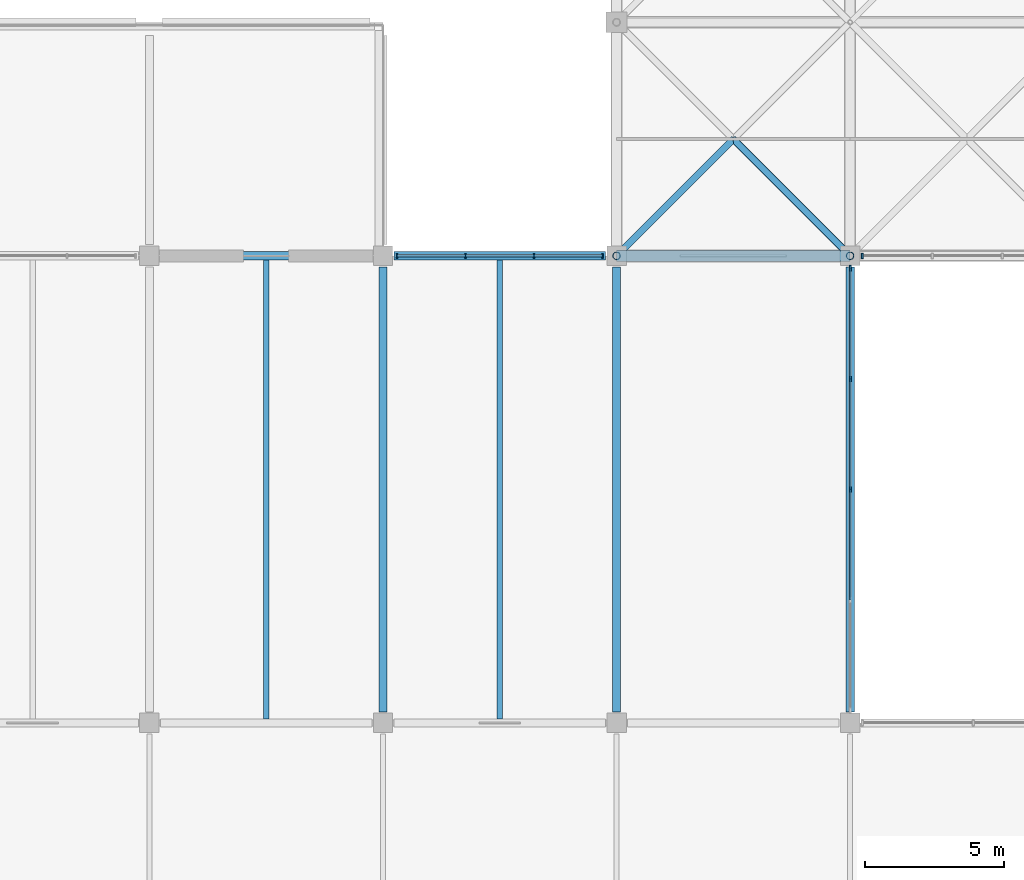
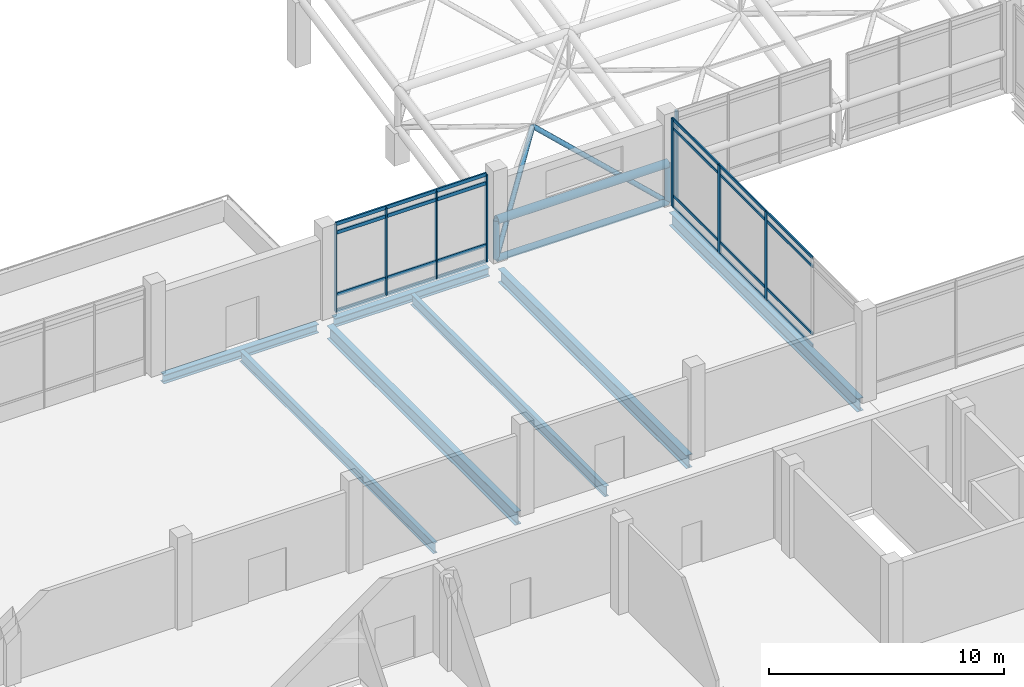
# One storey, part 21 of 110: 38 members, 7 beams, 3 elements without a shape of their own.
"""IFC4 building model written with IfcOpenShell, lengths in metres."""

import ifcopenshell
import ifcopenshell.guid

model = None  # the IFC model being written
_history = None  # IfcOwnerHistory: only IFC2X3 demands one
_inside = {}  # id of a spatial element -> (the spatial element, [elements in it])
_under = {}  # id of a project, library or spatial element -> (it, [spatial elements below it])
_declared = {}  # id of a project -> (the project, [libraries it declares])
_typed = {}  # id of a type object -> (the type object, [elements of that type])
_made_of = {}  # id of a material, layer set ... -> (it, [elements and type objects made of it])


def new_model(schema):
    """Start an empty IFC model of exactly this schema.

    Asked for "IFC4X3", IfcOpenShell would pick the latest addendum, in which some entities
    have other attributes; the version numbers below select the first issue.
    IFC2X3 requires an IfcOwnerHistory on every rooted entity: one is made here for all.
    """
    global model, _history
    if schema == "IFC4X3":
        model = ifcopenshell.file(schema_version=(4, 3, 0, 0))
    else:
        model = ifcopenshell.file(schema=schema)
    _inside.clear()
    _under.clear()
    _declared.clear()
    _typed.clear()
    _made_of.clear()
    _history = None
    if model.schema == "IFC2X3":
        org = make("IfcOrganization", Name="unknown")
        user = make(
            "IfcPersonAndOrganization",
            ThePerson=make("IfcPerson", FamilyName="unknown"),
            TheOrganization=org,
        )
        app = make(
            "IfcApplication",
            ApplicationDeveloper=org,
            Version="unknown",
            ApplicationFullName="unknown",
            ApplicationIdentifier="unknown",
        )
        _history = make(
            "IfcOwnerHistory",
            OwningUser=user,
            OwningApplication=app,
            ChangeAction="ADDED",
            CreationDate=0,
        )
    return model


def make(cls, **values):
    """One entity of the class cls with the attributes given. An attribute that is None is left unset."""
    return model.create_entity(
        cls, **{name: value for name, value in values.items() if value is not None}
    )


def rooted(cls, **values):
    """An entity with a GlobalId (a new one), such as an element, a storey or a relation."""
    return make(cls, GlobalId=ifcopenshell.guid.new(), OwnerHistory=_history, **values)


def si_unit(unit_type, name, prefix=None):
    """IfcSIUnit, for example si_unit("LENGTHUNIT", "METRE", prefix="MILLI")."""
    return make("IfcSIUnit", UnitType=unit_type, Prefix=prefix, Name=name)


def assignment(units):
    """IfcUnitAssignment: the units of a project."""
    return None if units is None else make("IfcUnitAssignment", Units=units)


def point(xyz):
    """IfcCartesianPoint."""
    return None if xyz is None else make("IfcCartesianPoint", Coordinates=xyz)


def direction(xyz):
    """IfcDirection."""
    return None if xyz is None else make("IfcDirection", DirectionRatios=xyz)


def frame(location, z_axis=None, x_axis=None):
    """IfcAxis2Placement3D, a coordinate frame: its origin and axes. An axis left out is left unset."""
    return make(
        "IfcAxis2Placement3D",
        Location=point(location),
        Axis=direction(z_axis),
        RefDirection=direction(x_axis),
    )


def frame_2d(location, x_axis=None):
    """IfcAxis2Placement2D, a coordinate frame in the plane: its origin and x axis."""
    return make(
        "IfcAxis2Placement2D", Location=point(location), RefDirection=direction(x_axis)
    )


def origin():
    """The frame at (0, 0, 0) with its axes left unset."""
    return frame((0.0, 0.0, 0.0))


def origin_2d():
    """The frame at (0, 0) in the plane with its x axis left unset."""
    return frame_2d((0.0, 0.0))


def place(relative_to, where):
    """IfcLocalPlacement: puts the frame where relative to a parent placement (None: the world)."""
    return make(
        "IfcLocalPlacement", PlacementRelTo=relative_to, RelativePlacement=where
    )


def context(
    kind, dimensions, precision=None, world=None, true_north=None, identifier=None
):
    """IfcGeometricRepresentationContext, for example the 3D "Model" context."""
    return make(
        "IfcGeometricRepresentationContext",
        ContextIdentifier=identifier,
        ContextType=kind,
        CoordinateSpaceDimension=dimensions,
        Precision=precision,
        WorldCoordinateSystem=world,
        TrueNorth=true_north,
    )


def subcontext(parent, identifier, kind, view, scale=None):
    """IfcGeometricRepresentationSubContext, for example "Body" below "Model"."""
    return make(
        "IfcGeometricRepresentationSubContext",
        ContextIdentifier=identifier,
        ContextType=kind,
        ParentContext=parent,
        TargetScale=scale,
        TargetView=view,
    )


def project(units=None, contexts=None):
    """IfcProject with its units and contexts."""
    return rooted(
        "IfcProject",
        Name="project",
        RepresentationContexts=contexts,
        UnitsInContext=assignment(units),
    )


def spatial(cls, under=None, at=None, **own):
    """A site, building, storey or space (cls), placed at a placement, below another one or the project."""
    s = rooted(cls, ObjectPlacement=at, **own)
    if under is not None:
        _under.setdefault(under.id(), (under, []))[1].append(s)
    return s


def profile(cls, at=None, kind="AREA", **sizes):
    """A parametric profile (cls). Its sizes go by their IFC names, for example OverallWidth=200.0."""
    return make(cls, ProfileType=kind, Position=at, **sizes)


def rectangle(**sizes):
    """IfcRectangleProfileDef."""
    return profile("IfcRectangleProfileDef", **sizes)


def hollow_circle(**sizes):
    """IfcCircleHollowProfileDef."""
    return profile("IfcCircleHollowProfileDef", **sizes)


def i_section(**sizes):
    """IfcIShapeProfileDef."""
    return profile("IfcIShapeProfileDef", **sizes)


def extrude(swept, where, along, depth):
    """IfcExtrudedAreaSolid: the profile swept, set in the frame where, extruded along a direction by depth."""
    return make(
        "IfcExtrudedAreaSolid",
        SweptArea=swept,
        Position=where,
        ExtrudedDirection=direction(along),
        Depth=depth,
    )


def shape(context_of_items, identifier, shape_type, items):
    """IfcShapeRepresentation: the items that make up one representation, for example the "Body"."""
    return make(
        "IfcShapeRepresentation",
        ContextOfItems=context_of_items,
        RepresentationIdentifier=identifier,
        RepresentationType=shape_type,
        Items=items,
    )


def material(Name=None, Category=None):
    """IfcMaterial."""
    return make("IfcMaterial", Name=Name, Category=Category)


def layer(
    of_material, thickness, ventilated=None, Name=None, Category=None, Priority=None
):
    """IfcMaterialLayer: one layer of a wall or slab, of a material (None: an air gap)."""
    return make(
        "IfcMaterialLayer",
        Material=of_material,
        LayerThickness=thickness,
        IsVentilated=ventilated,
        Name=Name,
        Category=Category,
        Priority=Priority,
    )


def layer_set(layers, Name=None):
    """IfcMaterialLayerSet."""
    return make("IfcMaterialLayerSet", MaterialLayers=layers, LayerSetName=Name)


def material_profile(
    of_material, cross_section, Name=None, Category=None, Priority=None
):
    """IfcMaterialProfile: a cross section and its material."""
    return make(
        "IfcMaterialProfile",
        Name=Name,
        Material=of_material,
        Profile=cross_section,
        Priority=Priority,
        Category=Category,
    )


def profile_set(profiles, Name=None, composite=None):
    """IfcMaterialProfileSet."""
    return make(
        "IfcMaterialProfileSet",
        Name=Name,
        MaterialProfiles=profiles,
        CompositeProfile=composite,
    )


def made_of(thing, what):
    """Note that an element or type object is made of a material, layer set ...; save() writes the relation."""
    if what is not None:
        _made_of.setdefault(what.id(), (what, []))[1].append(thing)
    return thing


def type_object(cls, material=None, **own):
    """A type object (cls), such as IfcWallType, which elements share."""
    return made_of(rooted(cls, **own), material)


def element(
    cls,
    number,
    at=None,
    inside=None,
    cuts=None,
    type_object=None,
    material=None,
    context=None,
    identifier="Body",
    shape_type=None,
    held_by="IfcProductDefinitionShape",
    body=None,
    shapes=None,
    **own,
):
    """One element of the class cls, such as IfcWall. Its Tag is "e" and its number.

    at: its placement. inside: the storey or other place that contains it. cuts: it is an
    opening in that element (IfcRelVoidsElement). A single representation is given by context,
    identifier, shape_type and body (its items); several are given by shapes. held_by: the class
    of the entity that holds the representations. save() writes the other relations.
    """
    e = rooted(cls, Tag="e%d" % number, ObjectPlacement=at, **own)
    if body is not None:
        shapes = [shape(context, identifier, shape_type, body)]
    if shapes is not None:
        e.Representation = make(held_by, Representations=shapes)
    if inside is not None:
        _inside.setdefault(inside.id(), (inside, []))[1].append(e)
    if cuts is not None:
        rooted(
            "IfcRelVoidsElement", RelatingBuildingElement=cuts, RelatedOpeningElement=e
        )
    if type_object is not None:
        _typed.setdefault(type_object.id(), (type_object, []))[1].append(e)
    return made_of(e, material)


def aggregate(whole, parts):
    """IfcRelAggregates: a whole, such as a stair, and the parts it consists of."""
    return rooted("IfcRelAggregates", RelatingObject=whole, RelatedObjects=parts)


def save(model, path):
    """Write the relations noted so far, then the file.

    IfcRelAggregates (storeys below a building ...), IfcRelContainedInSpatialStructure (elements
    in a storey), IfcRelDefinesByType, IfcRelAssociatesMaterial and IfcRelDeclares: one each for
    every whole, place, type object, material and project.
    """
    for whole, parts in _under.values():
        aggregate(whole, parts)
    for where, things in _inside.values():
        rooted(
            "IfcRelContainedInSpatialStructure",
            RelatedElements=things,
            RelatingStructure=where,
        )
    for kind, things in _typed.values():
        rooted("IfcRelDefinesByType", RelatedObjects=things, RelatingType=kind)
    for what, things in _made_of.values():
        rooted("IfcRelAssociatesMaterial", RelatedObjects=things, RelatingMaterial=what)
    for by, libraries in _declared.values():
        rooted("IfcRelDeclares", RelatingContext=by, RelatedDefinitions=libraries)
    model.write(path)


model = new_model("IFC4")

# Units and contexts
model_context = context("Model", 3, precision=1e-05, world=origin(), true_north=direction((0.0, 1.0)))
body_context = subcontext(model_context, "Body", "Model", "MODEL_VIEW")
ifc_project = project(units=[si_unit("LENGTHUNIT", "METRE"), si_unit("AREAUNIT", "SQUARE_METRE"), si_unit("VOLUMEUNIT", "CUBIC_METRE"), si_unit("PLANEANGLEUNIT", "RADIAN"), si_unit("MASSUNIT", "GRAM", prefix="KILO")], contexts=[model_context])

# Site, building, storey
site_placement = place(None, origin())
site = spatial("IfcSite", under=ifc_project, at=site_placement, CompositionType="ELEMENT")
building_placement = place(site_placement, origin())
building = spatial("IfcBuilding", under=site, at=building_placement, Name="Qawsi Khor Wholesale Market", CompositionType="ELEMENT")
storey_placement = place(building_placement, frame((0.0, 0.0, 11.39990234375)))
storey = spatial("IfcBuildingStorey", under=building, at=storey_placement, Name="L02", CompositionType="ELEMENT", Elevation=11.39990234375)

# Curtain wall, member
ifc_material_1 = material(Name="Aluminium Anodised Bronze", Category="aluminium")
ifc_layer_1 = layer(ifc_material_1, 0.179931640625, Name="Aluminium Anodised Bronze")
ifc_layer_set_1 = layer_set([ifc_layer_1], Name="Aluminium Anodised Bronze")
curtain_wall_type_1 = type_object("IfcCurtainWallType", Name="Atrium Full-Height Curtain Wall CW-02", PredefinedType="NOTDEFINED", material=ifc_layer_set_1)
curtain_wall_1_placement = place(storey_placement, origin())
curtain_wall_1 = element("IfcCurtainWall", 1, at=curtain_wall_1_placement, inside=storey, type_object=curtain_wall_type_1, Name="Curtain wall CW-CW-02-L02-042", PredefinedType="NOTDEFINED")
ifc_material_profile_1 = material_profile(ifc_material_1, rectangle(XDim=0.070068359375, YDim=0.199951171875, at=origin_2d()), Name="ALU MULLION 70x200")
ifc_profile_set_1 = profile_set([ifc_material_profile_1], Name="Aluminium Anodised Bronze")
member_type_1 = type_object("IfcMemberType", Name="Curtain Wall Mullion CW-02 ALU MULLION 70x200", PredefinedType="MULLION", material=ifc_profile_set_1)
member_1_placement = place(storey_placement, frame((151.64501953125, 42.0, -0.02001953125), z_axis=(0.0, 0.0, 1.0), x_axis=(1.0, 0.0, 0.0)))
member_1 = element("IfcMember", 2, at=member_1_placement, type_object=member_type_1, Name="Mullion CW-CW-02-L02-042-M00", PredefinedType="MULLION", context=body_context, shape_type="SweptSolid", body=[
    extrude(rectangle(XDim=0.070068359375, YDim=0.199951171875, at=origin_2d()), origin(), (0.0, 0.0, 1.0), 4.570068359375),
])
aggregate(curtain_wall_1, [member_1])

# Curtain wall, members
curtain_wall_2_placement = place(storey_placement, origin())
curtain_wall_2 = element("IfcCurtainWall", 3, at=curtain_wall_2_placement, inside=storey, type_object=curtain_wall_type_1, Name="Curtain wall CW-CW-02-L02-044", PredefinedType="NOTDEFINED")
member_2_placement = place(storey_placement, frame((151.199951171875, 33.60009765625, -0.02001953125), z_axis=(0.0, 0.0, 1.0), x_axis=(1.0, 0.0, 0.0)))
member_2 = element("IfcMember", 4, at=member_2_placement, type_object=member_type_1, Name="Mullion CW-CW-02-L02-044-M02", PredefinedType="MULLION", context=body_context, shape_type="SweptSolid", body=[
    extrude(rectangle(XDim=0.070068359375, YDim=0.199951171875, at=origin_2d()), origin(), (0.0, 0.0, 1.0), 4.570068359375),
])
member_3_placement = place(storey_placement, frame((151.199951171875, 37.577392578125, -0.02001953125), z_axis=(0.0, 0.0, 1.0), x_axis=(1.0, 0.0, 0.0)))
member_3 = element("IfcMember", 5, at=member_3_placement, type_object=member_type_1, Name="Mullion CW-CW-02-L02-044-M03", PredefinedType="MULLION", context=body_context, shape_type="SweptSolid", body=[
    extrude(rectangle(XDim=0.070068359375, YDim=0.199951171875, at=origin_2d()), origin(), (0.0, 0.0, 1.0), 4.570068359375),
])
member_4_placement = place(storey_placement, frame((151.199951171875, 41.554931640625, -0.02001953125), z_axis=(0.0, 0.0, 1.0), x_axis=(1.0, 0.0, 0.0)))
member_4 = element("IfcMember", 6, at=member_4_placement, type_object=member_type_1, Name="Mullion CW-CW-02-L02-044-M04", PredefinedType="MULLION", context=body_context, shape_type="SweptSolid", body=[
    extrude(rectangle(XDim=0.070068359375, YDim=0.199951171875, at=origin_2d()), origin(), (0.0, 0.0, 1.0), 4.570068359375),
])

ifc_layer_2 = layer(ifc_material_1, 0.169921875, Name="Aluminium Anodised Bronze")
ifc_layer_set_2 = layer_set([ifc_layer_2], Name="Aluminium Anodised Bronze")
curtain_wall_type_2 = type_object("IfcCurtainWallType", Name="Central Court Gallery Curtain Wall CW-05", PredefinedType="NOTDEFINED", material=ifc_layer_set_2)
curtain_wall_3_placement = place(storey_placement, origin())
curtain_wall_3 = element("IfcCurtainWall", 7, at=curtain_wall_3_placement, inside=storey, type_object=curtain_wall_type_2, Name="Curtain wall CW-CW-05-L02-069", PredefinedType="NOTDEFINED")
ifc_material_profile_2 = material_profile(ifc_material_1, rectangle(XDim=0.06005859375, YDim=0.159912109375, at=origin_2d()), Name="ALU MULLION 60x160")
ifc_profile_set_2 = profile_set([ifc_material_profile_2], Name="Aluminium Anodised Bronze")
member_type_2 = type_object("IfcMemberType", Name="Curtain Wall Mullion CW-05 ALU MULLION 60x160", PredefinedType="MULLION", material=ifc_profile_set_2)
member_5_placement = place(storey_placement, frame((134.89990234375, 42.0, -0.02001953125), z_axis=(0.0, 0.0, 1.0), x_axis=(1.0, 0.0, 0.0)))
member_5 = element("IfcMember", 8, at=member_5_placement, type_object=member_type_2, Name="Mullion CW-CW-05-L02-069-M00", PredefinedType="MULLION", context=body_context, shape_type="SweptSolid", body=[
    extrude(rectangle(XDim=0.06005859375, YDim=0.159912109375, at=origin_2d()), origin(), (0.0, 0.0, 1.0), 4.5400390625),
])
member_6_placement = place(storey_placement, frame((137.36669921875, 42.0, -0.02001953125), z_axis=(0.0, 0.0, 1.0), x_axis=(1.0, 0.0, 0.0)))
member_6 = element("IfcMember", 9, at=member_6_placement, type_object=member_type_2, Name="Mullion CW-CW-05-L02-069-M01", PredefinedType="MULLION", context=body_context, shape_type="SweptSolid", body=[
    extrude(rectangle(XDim=0.06005859375, YDim=0.159912109375, at=origin_2d()), origin(), (0.0, 0.0, 1.0), 4.5400390625),
])
member_7_placement = place(storey_placement, frame((139.833251953125, 42.0, -0.02001953125), z_axis=(0.0, 0.0, 1.0), x_axis=(1.0, 0.0, 0.0)))
member_7 = element("IfcMember", 10, at=member_7_placement, type_object=member_type_2, Name="Mullion CW-CW-05-L02-069-M02", PredefinedType="MULLION", context=body_context, shape_type="SweptSolid", body=[
    extrude(rectangle(XDim=0.06005859375, YDim=0.159912109375, at=origin_2d()), origin(), (0.0, 0.0, 1.0), 4.5400390625),
])
member_8_placement = place(storey_placement, frame((142.300048828125, 42.0, -0.02001953125), z_axis=(0.0, 0.0, 1.0), x_axis=(1.0, 0.0, 0.0)))
member_8 = element("IfcMember", 11, at=member_8_placement, type_object=member_type_2, Name="Mullion CW-CW-05-L02-069-M03", PredefinedType="MULLION", context=body_context, shape_type="SweptSolid", body=[
    extrude(rectangle(XDim=0.06005859375, YDim=0.159912109375, at=origin_2d()), origin(), (0.0, 0.0, 1.0), 4.5400390625),
])

# Member
ifc_material_profile_3 = material_profile(ifc_material_1, rectangle(XDim=0.06494140625, YDim=0.139892578125, at=origin_2d()), Name="ALU TRANSOM 65x140")
ifc_profile_set_3 = profile_set([ifc_material_profile_3], Name="Aluminium Anodised Bronze")
member_type_3 = type_object("IfcMemberType", Name="Curtain Wall Transom CW-02 ALU TRANSOM 65x140", PredefinedType="USERDEFINED", material=ifc_profile_set_3)
member_9_placement = place(storey_placement, frame((151.199951171875, 29.62255859375, 0.0), z_axis=(0.0, 1.0, 0.0), x_axis=(-1.0, 0.0, 0.0)))
member_9 = element("IfcMember", 12, at=member_9_placement, type_object=member_type_3, Name="Transom CW-CW-02-L02-044-T0_01", ObjectType="TRANSOM", PredefinedType="USERDEFINED", context=body_context, shape_type="SweptSolid", body=[
    extrude(rectangle(XDim=0.06494140625, YDim=0.139892578125, at=origin_2d()), origin(), (0.0, 0.0, 1.0), 3.9775390625),
])

member_10_placement = place(storey_placement, frame((151.199951171875, 33.60009765625, 0.0), z_axis=(0.0, 1.0, 0.0), x_axis=(-1.0, 0.0, 0.0)))
member_10 = element("IfcMember", 13, at=member_10_placement, type_object=member_type_3, Name="Transom CW-CW-02-L02-044-T0_02", ObjectType="TRANSOM", PredefinedType="USERDEFINED", context=body_context, shape_type="SweptSolid", body=[
    extrude(rectangle(XDim=0.06494140625, YDim=0.139892578125, at=origin_2d()), origin(), (0.0, 0.0, 1.0), 3.977294921875),
])

member_11_placement = place(storey_placement, frame((151.199951171875, 37.577392578125, 0.0), z_axis=(0.0, 1.0, 0.0), x_axis=(-1.0, 0.0, 0.0)))
member_11 = element("IfcMember", 14, at=member_11_placement, type_object=member_type_3, Name="Transom CW-CW-02-L02-044-T0_03", ObjectType="TRANSOM", PredefinedType="USERDEFINED", context=body_context, shape_type="SweptSolid", body=[
    extrude(rectangle(XDim=0.06494140625, YDim=0.139892578125, at=origin_2d()), origin(), (0.0, 0.0, 1.0), 3.9775390625),
])

member_12_placement = place(storey_placement, frame((151.199951171875, 29.62255859375, 0.60009765625), z_axis=(0.0, 1.0, 0.0), x_axis=(-1.0, 0.0, 0.0)))
member_12 = element("IfcMember", 15, at=member_12_placement, type_object=member_type_3, Name="Transom CW-CW-02-L02-044-T1_01", ObjectType="TRANSOM", PredefinedType="USERDEFINED", context=body_context, shape_type="SweptSolid", body=[
    extrude(rectangle(XDim=0.06494140625, YDim=0.139892578125, at=origin_2d()), origin(), (0.0, 0.0, 1.0), 3.9775390625),
])

member_13_placement = place(storey_placement, frame((151.199951171875, 33.60009765625, 0.60009765625), z_axis=(0.0, 1.0, 0.0), x_axis=(-1.0, 0.0, 0.0)))
member_13 = element("IfcMember", 16, at=member_13_placement, type_object=member_type_3, Name="Transom CW-CW-02-L02-044-T1_02", ObjectType="TRANSOM", PredefinedType="USERDEFINED", context=body_context, shape_type="SweptSolid", body=[
    extrude(rectangle(XDim=0.06494140625, YDim=0.139892578125, at=origin_2d()), origin(), (0.0, 0.0, 1.0), 3.977294921875),
])

member_14_placement = place(storey_placement, frame((151.199951171875, 37.577392578125, 0.60009765625), z_axis=(0.0, 1.0, 0.0), x_axis=(-1.0, 0.0, 0.0)))
member_14 = element("IfcMember", 17, at=member_14_placement, type_object=member_type_3, Name="Transom CW-CW-02-L02-044-T1_03", ObjectType="TRANSOM", PredefinedType="USERDEFINED", context=body_context, shape_type="SweptSolid", body=[
    extrude(rectangle(XDim=0.06494140625, YDim=0.139892578125, at=origin_2d()), origin(), (0.0, 0.0, 1.0), 3.9775390625),
])

member_15_placement = place(storey_placement, frame((151.199951171875, 29.62255859375, 4.10009765625), z_axis=(0.0, 1.0, 0.0), x_axis=(-1.0, 0.0, 0.0)))
member_15 = element("IfcMember", 18, at=member_15_placement, type_object=member_type_3, Name="Transom CW-CW-02-L02-044-T2_01", ObjectType="TRANSOM", PredefinedType="USERDEFINED", context=body_context, shape_type="SweptSolid", body=[
    extrude(rectangle(XDim=0.06494140625, YDim=0.139892578125, at=origin_2d()), origin(), (0.0, 0.0, 1.0), 3.9775390625),
])

member_16_placement = place(storey_placement, frame((151.199951171875, 33.60009765625, 4.10009765625), z_axis=(0.0, 1.0, 0.0), x_axis=(-1.0, 0.0, 0.0)))
member_16 = element("IfcMember", 19, at=member_16_placement, type_object=member_type_3, Name="Transom CW-CW-02-L02-044-T2_02", ObjectType="TRANSOM", PredefinedType="USERDEFINED", context=body_context, shape_type="SweptSolid", body=[
    extrude(rectangle(XDim=0.06494140625, YDim=0.139892578125, at=origin_2d()), origin(), (0.0, 0.0, 1.0), 3.977294921875),
])

member_17_placement = place(storey_placement, frame((151.199951171875, 37.577392578125, 4.10009765625), z_axis=(0.0, 1.0, 0.0), x_axis=(-1.0, 0.0, 0.0)))
member_17 = element("IfcMember", 20, at=member_17_placement, type_object=member_type_3, Name="Transom CW-CW-02-L02-044-T2_03", ObjectType="TRANSOM", PredefinedType="USERDEFINED", context=body_context, shape_type="SweptSolid", body=[
    extrude(rectangle(XDim=0.06494140625, YDim=0.139892578125, at=origin_2d()), origin(), (0.0, 0.0, 1.0), 3.9775390625),
])

member_18_placement = place(storey_placement, frame((151.199951171875, 29.62255859375, 4.550048828125), z_axis=(0.0, 1.0, 0.0), x_axis=(-1.0, 0.0, 0.0)))
member_18 = element("IfcMember", 21, at=member_18_placement, type_object=member_type_3, Name="Transom CW-CW-02-L02-044-T3_01", ObjectType="TRANSOM", PredefinedType="USERDEFINED", context=body_context, shape_type="SweptSolid", body=[
    extrude(rectangle(XDim=0.06494140625, YDim=0.139892578125, at=origin_2d()), origin(), (0.0, 0.0, 1.0), 3.9775390625),
])

member_19_placement = place(storey_placement, frame((151.199951171875, 33.60009765625, 4.550048828125), z_axis=(0.0, 1.0, 0.0), x_axis=(-1.0, 0.0, 0.0)))
member_19 = element("IfcMember", 22, at=member_19_placement, type_object=member_type_3, Name="Transom CW-CW-02-L02-044-T3_02", ObjectType="TRANSOM", PredefinedType="USERDEFINED", context=body_context, shape_type="SweptSolid", body=[
    extrude(rectangle(XDim=0.06494140625, YDim=0.139892578125, at=origin_2d()), origin(), (0.0, 0.0, 1.0), 3.977294921875),
])

member_20_placement = place(storey_placement, frame((151.199951171875, 37.577392578125, 4.550048828125), z_axis=(0.0, 1.0, 0.0), x_axis=(-1.0, 0.0, 0.0)))
member_20 = element("IfcMember", 23, at=member_20_placement, type_object=member_type_3, Name="Transom CW-CW-02-L02-044-T3_03", ObjectType="TRANSOM", PredefinedType="USERDEFINED", context=body_context, shape_type="SweptSolid", body=[
    extrude(rectangle(XDim=0.06494140625, YDim=0.139892578125, at=origin_2d()), origin(), (0.0, 0.0, 1.0), 3.9775390625),
])

aggregate(curtain_wall_2, [member_2, member_3, member_4, member_9, member_10, member_11, member_12, member_13, member_14, member_15, member_16, member_17, member_18, member_19, member_20])

ifc_material_profile_4 = material_profile(ifc_material_1, rectangle(XDim=0.080078125, YDim=0.179931640625, at=origin_2d()), Name="ALU TRANSOM 80x180")
ifc_profile_set_4 = profile_set([ifc_material_profile_4], Name="Aluminium Anodised Bronze")
member_type_4 = type_object("IfcMemberType", Name="Curtain Wall Transom CW-05 ALU TRANSOM 80x180", PredefinedType="USERDEFINED", material=ifc_profile_set_4)
member_21_placement = place(storey_placement, frame((134.89990234375, 42.0, 0.0), z_axis=(1.0, 0.0, 0.0), x_axis=(0.0, 1.0, 0.0)))
member_21 = element("IfcMember", 24, at=member_21_placement, type_object=member_type_4, Name="Transom CW-CW-05-L02-069-T0_00", ObjectType="TRANSOM", PredefinedType="USERDEFINED", context=body_context, shape_type="SweptSolid", body=[
    extrude(rectangle(XDim=0.080078125, YDim=0.179931640625, at=origin_2d()), origin(), (0.0, 0.0, 1.0), 2.466796875),
])

member_22_placement = place(storey_placement, frame((137.36669921875, 42.0, 0.0), z_axis=(1.0, 0.0, 0.0), x_axis=(0.0, 1.0, 0.0)))
member_22 = element("IfcMember", 25, at=member_22_placement, type_object=member_type_4, Name="Transom CW-CW-05-L02-069-T0_01", ObjectType="TRANSOM", PredefinedType="USERDEFINED", context=body_context, shape_type="SweptSolid", body=[
    extrude(rectangle(XDim=0.080078125, YDim=0.179931640625, at=origin_2d()), origin(), (0.0, 0.0, 1.0), 2.466552734375),
])

member_23_placement = place(storey_placement, frame((139.833251953125, 42.0, 0.0), z_axis=(1.0, 0.0, 0.0), x_axis=(0.0, 1.0, 0.0)))
member_23 = element("IfcMember", 26, at=member_23_placement, type_object=member_type_4, Name="Transom CW-CW-05-L02-069-T0_02", ObjectType="TRANSOM", PredefinedType="USERDEFINED", context=body_context, shape_type="SweptSolid", body=[
    extrude(rectangle(XDim=0.080078125, YDim=0.179931640625, at=origin_2d()), origin(), (0.0, 0.0, 1.0), 2.466796875),
])

member_24_placement = place(storey_placement, frame((134.89990234375, 42.0, 0.85009765625), z_axis=(1.0, 0.0, 0.0), x_axis=(0.0, 1.0, 0.0)))
member_24 = element("IfcMember", 27, at=member_24_placement, type_object=member_type_4, Name="Transom CW-CW-05-L02-069-T1_00", ObjectType="TRANSOM", PredefinedType="USERDEFINED", context=body_context, shape_type="SweptSolid", body=[
    extrude(rectangle(XDim=0.080078125, YDim=0.179931640625, at=origin_2d()), origin(), (0.0, 0.0, 1.0), 2.466796875),
])

member_25_placement = place(storey_placement, frame((137.36669921875, 42.0, 0.85009765625), z_axis=(1.0, 0.0, 0.0), x_axis=(0.0, 1.0, 0.0)))
member_25 = element("IfcMember", 28, at=member_25_placement, type_object=member_type_4, Name="Transom CW-CW-05-L02-069-T1_01", ObjectType="TRANSOM", PredefinedType="USERDEFINED", context=body_context, shape_type="SweptSolid", body=[
    extrude(rectangle(XDim=0.080078125, YDim=0.179931640625, at=origin_2d()), origin(), (0.0, 0.0, 1.0), 2.466552734375),
])

member_26_placement = place(storey_placement, frame((139.833251953125, 42.0, 0.85009765625), z_axis=(1.0, 0.0, 0.0), x_axis=(0.0, 1.0, 0.0)))
member_26 = element("IfcMember", 29, at=member_26_placement, type_object=member_type_4, Name="Transom CW-CW-05-L02-069-T1_02", ObjectType="TRANSOM", PredefinedType="USERDEFINED", context=body_context, shape_type="SweptSolid", body=[
    extrude(rectangle(XDim=0.080078125, YDim=0.179931640625, at=origin_2d()), origin(), (0.0, 0.0, 1.0), 2.466796875),
])

member_27_placement = place(storey_placement, frame((134.89990234375, 42.0, 4.070068359375), z_axis=(1.0, 0.0, 0.0), x_axis=(0.0, 1.0, 0.0)))
member_27 = element("IfcMember", 30, at=member_27_placement, type_object=member_type_4, Name="Transom CW-CW-05-L02-069-T2_00", ObjectType="TRANSOM", PredefinedType="USERDEFINED", context=body_context, shape_type="SweptSolid", body=[
    extrude(rectangle(XDim=0.080078125, YDim=0.179931640625, at=origin_2d()), origin(), (0.0, 0.0, 1.0), 2.466796875),
])

member_28_placement = place(storey_placement, frame((137.36669921875, 42.0, 4.070068359375), z_axis=(1.0, 0.0, 0.0), x_axis=(0.0, 1.0, 0.0)))
member_28 = element("IfcMember", 31, at=member_28_placement, type_object=member_type_4, Name="Transom CW-CW-05-L02-069-T2_01", ObjectType="TRANSOM", PredefinedType="USERDEFINED", context=body_context, shape_type="SweptSolid", body=[
    extrude(rectangle(XDim=0.080078125, YDim=0.179931640625, at=origin_2d()), origin(), (0.0, 0.0, 1.0), 2.466552734375),
])

member_29_placement = place(storey_placement, frame((139.833251953125, 42.0, 4.070068359375), z_axis=(1.0, 0.0, 0.0), x_axis=(0.0, 1.0, 0.0)))
member_29 = element("IfcMember", 32, at=member_29_placement, type_object=member_type_4, Name="Transom CW-CW-05-L02-069-T2_02", ObjectType="TRANSOM", PredefinedType="USERDEFINED", context=body_context, shape_type="SweptSolid", body=[
    extrude(rectangle(XDim=0.080078125, YDim=0.179931640625, at=origin_2d()), origin(), (0.0, 0.0, 1.0), 2.466796875),
])

member_30_placement = place(storey_placement, frame((134.89990234375, 42.0, 4.52001953125), z_axis=(1.0, 0.0, 0.0), x_axis=(0.0, 1.0, 0.0)))
member_30 = element("IfcMember", 33, at=member_30_placement, type_object=member_type_4, Name="Transom CW-CW-05-L02-069-T3_00", ObjectType="TRANSOM", PredefinedType="USERDEFINED", context=body_context, shape_type="SweptSolid", body=[
    extrude(rectangle(XDim=0.080078125, YDim=0.179931640625, at=origin_2d()), origin(), (0.0, 0.0, 1.0), 2.466796875),
])

member_31_placement = place(storey_placement, frame((137.36669921875, 42.0, 4.52001953125), z_axis=(1.0, 0.0, 0.0), x_axis=(0.0, 1.0, 0.0)))
member_31 = element("IfcMember", 34, at=member_31_placement, type_object=member_type_4, Name="Transom CW-CW-05-L02-069-T3_01", ObjectType="TRANSOM", PredefinedType="USERDEFINED", context=body_context, shape_type="SweptSolid", body=[
    extrude(rectangle(XDim=0.080078125, YDim=0.179931640625, at=origin_2d()), origin(), (0.0, 0.0, 1.0), 2.466552734375),
])

member_32_placement = place(storey_placement, frame((139.833251953125, 42.0, 4.52001953125), z_axis=(1.0, 0.0, 0.0), x_axis=(0.0, 1.0, 0.0)))
member_32 = element("IfcMember", 35, at=member_32_placement, type_object=member_type_4, Name="Transom CW-CW-05-L02-069-T3_02", ObjectType="TRANSOM", PredefinedType="USERDEFINED", context=body_context, shape_type="SweptSolid", body=[
    extrude(rectangle(XDim=0.080078125, YDim=0.179931640625, at=origin_2d()), origin(), (0.0, 0.0, 1.0), 2.466796875),
])

aggregate(curtain_wall_3, [member_5, member_6, member_7, member_8, member_21, member_22, member_23, member_24, member_25, member_26, member_27, member_28, member_29, member_30, member_31, member_32])

# Beams
ifc_material_2 = material(Name="Steel S355", Category="steel")
ifc_material_profile_5 = material_profile(ifc_material_2, i_section(OverallWidth=0.300048828125, OverallDepth=0.449951171875, WebThickness=0.013916015625, FlangeThickness=0.02587890625, FilletRadius=0.027099609375, at=origin_2d()), Name="HEB 450")
ifc_profile_set_5 = profile_set([ifc_material_profile_5], Name="Steel S355")
beam_type_1 = type_object("IfcBeamType", Name="Heavy Edge Girder HEB 450", PredefinedType="BEAM", material=ifc_profile_set_5)
beam_1_placement = place(storey_placement, frame((126.39990234375, 42.0, -0.5048828125), z_axis=(1.0, 0.0, 0.0), x_axis=(0.0, 1.0, 0.0)))
element("IfcBeam", 36, at=beam_1_placement, inside=storey, type_object=beam_type_1, Name="BM-X-L02-15_+05", PredefinedType="BEAM", context=body_context, shape_type="SweptSolid", body=[
    extrude(i_section(OverallWidth=0.300048828125, OverallDepth=0.449951171875, WebThickness=0.013916015625, FlangeThickness=0.02587890625, FilletRadius=0.027099609375, at=origin_2d()), origin(), (0.0, 0.0, 1.0), 7.60009765625),
])
beam_2_placement = place(storey_placement, frame((134.800048828125, 42.0, -0.5048828125), z_axis=(1.0, 0.0, 0.0), x_axis=(0.0, 1.0, 0.0)))
element("IfcBeam", 37, at=beam_2_placement, inside=storey, type_object=beam_type_1, Name="BM-X-L02-16_+05", PredefinedType="BEAM", context=body_context, shape_type="SweptSolid", body=[
    extrude(i_section(OverallWidth=0.300048828125, OverallDepth=0.449951171875, WebThickness=0.013916015625, FlangeThickness=0.02587890625, FilletRadius=0.027099609375, at=origin_2d()), origin(), (0.0, 0.0, 1.0), 7.599853515625),
])
ifc_material_profile_6 = material_profile(ifc_material_2, i_section(OverallWidth=0.300048828125, OverallDepth=0.68994140625, WebThickness=0.014404296875, FlangeThickness=0.027099609375, FilletRadius=0.027099609375, at=origin_2d()), Name="HEA 700")
ifc_profile_set_6 = profile_set([ifc_material_profile_6], Name="Steel S355")
beam_type_2 = type_object("IfcBeamType", Name="Primary Girder HEA 700", PredefinedType="BEAM", material=ifc_profile_set_6)
for number, where, z_axis, x_axis, name in (
    (38, (134.39990234375, 25.60009765625, -0.625), (0.0, 1.0, 0.0), (-1.0, 0.0, 0.0), "BM-YL-L02-16_+03"),
    (39, (142.800048828125, 25.60009765625, -0.625), (0.0, 1.0, 0.0), (-1.0, 0.0, 0.0), "BM-YL-L02-17_+03"),
    (40, (151.199951171875, 25.60009765625, -0.625), (0.0, 1.0, 0.0), (-1.0, 0.0, 0.0), "BM-YL-L02-18_+03"),
):
    element("IfcBeam", number, at=place(storey_placement, frame(where, z_axis=z_axis, x_axis=x_axis)), inside=storey, type_object=beam_type_2, Name=name, PredefinedType="BEAM", context=body_context, shape_type="SweptSolid", body=[
        extrude(i_section(OverallWidth=0.300048828125, OverallDepth=0.68994140625, WebThickness=0.014404296875, FlangeThickness=0.027099609375, FilletRadius=0.027099609375, at=origin_2d()), origin(), (0.0, 0.0, 1.0), 16.0),
    ])
ifc_material_profile_7 = material_profile(ifc_material_2, i_section(OverallWidth=0.2099609375, OverallDepth=0.550048828125, WebThickness=0.010986328125, FlangeThickness=0.01708984375, FilletRadius=0.02392578125, at=origin_2d()), Name="IPE 550")
ifc_profile_set_7 = profile_set([ifc_material_profile_7], Name="Steel S355")
beam_type_3 = type_object("IfcBeamType", Name="Secondary Beam IPE 550", PredefinedType="BEAM", material=ifc_profile_set_7)
for number, where, z_axis, x_axis, name in (
    (41, (130.199951171875, 25.35009765625, -0.554931640625), (0.0, 1.0, 0.0), (-1.0, 0.0, 0.0), "JST-M-L02-15"),
    (42, (138.60009765625, 25.35009765625, -0.554931640625), (0.0, 1.0, 0.0), (-1.0, 0.0, 0.0), "JST-M-L02-16"),
):
    element("IfcBeam", number, at=place(storey_placement, frame(where, z_axis=z_axis, x_axis=x_axis)), inside=storey, type_object=beam_type_3, Name=name, PredefinedType="BEAM", context=body_context, shape_type="SweptSolid", body=[
        extrude(i_section(OverallWidth=0.2099609375, OverallDepth=0.550048828125, WebThickness=0.010986328125, FlangeThickness=0.01708984375, FilletRadius=0.02392578125, at=origin_2d()), origin(), (0.0, 0.0, 1.0), 16.5),
    ])

# Members
ifc_material_profile_8 = material_profile(ifc_material_2, hollow_circle(Radius=0.136474609375, WallThickness=0.012451171875, at=origin_2d()), Name="CHS 273.0x12.5")
ifc_profile_set_8 = profile_set([ifc_material_profile_8], Name="Steel S355")
member_type_5 = type_object("IfcMemberType", Name="Space-Frame Edge Post CHS 273.0x12.5", PredefinedType="POST", material=ifc_profile_set_8)
for number, where, z_axis, x_axis, name in (
    (43, (142.800048828125, 42.0, -0.02978515625), (0.0, 0.0, 1.0), (1.0, 0.0, 0.0), "Space frame post EH (17,5)"),
    (44, (151.199951171875, 42.0, -0.02978515625), (0.0, 0.0, 1.0), (1.0, 0.0, 0.0), "Space frame post EH (18,5)"),
):
    element("IfcMember", number, at=place(storey_placement, frame(where, z_axis=z_axis, x_axis=x_axis)), inside=storey, type_object=member_type_5, Name=name, PredefinedType="POST", context=body_context, shape_type="SweptSolid", body=[
        extrude(hollow_circle(Radius=0.136474609375, WallThickness=0.012451171875, at=origin_2d()), origin(), (0.0, 0.0, 1.0), 2.0),
    ])
ifc_material_profile_9 = material_profile(ifc_material_2, hollow_circle(Radius=0.122314453125, WallThickness=0.012451171875, at=origin_2d()), Name="CHS 244.5x12.5")
ifc_profile_set_9 = profile_set([ifc_material_profile_9], Name="Steel S355")
member_type_6 = type_object("IfcMemberType", Name="Space-Frame Heavy Diagonal CHS 244.5x12.5", PredefinedType="POST", material=ifc_profile_set_9)
for number, where, z_axis, x_axis, name in (
    (45, (142.800048828125, 42.0, -0.02978515625), (0.637521961484, 0.637521961484, 0.432586982294), (-0.707106781187, 0.707106781187, 0.0), "Space frame diagonal EH (17,5)-1"),
    (46, (151.199951171875, 42.0, -0.02978515625), (-0.637521961484, 0.637521961484, 0.432586982294), (-0.707106781187, -0.707106781187, 0.0), "Space frame diagonal EH (17,5)-2"),
):
    element("IfcMember", number, at=place(storey_placement, frame(where, z_axis=z_axis, x_axis=x_axis)), inside=storey, type_object=member_type_6, Name=name, PredefinedType="POST", context=body_context, shape_type="SweptSolid", body=[
        extrude(hollow_circle(Radius=0.122314453125, WallThickness=0.012451171875, at=origin_2d()), origin(), (0.0, 0.0, 1.0), 6.587890625),
    ])
ifc_material_profile_10 = material_profile(ifc_material_2, hollow_circle(Radius=0.161865234375, WallThickness=0.01611328125, at=origin_2d()), Name="CHS 323.9x16.0")
ifc_profile_set_10 = profile_set([ifc_material_profile_10], Name="Steel S355")
member_type_7 = type_object("IfcMemberType", Name="Space-Frame Secondary Chord CHS 323.9x16.0", PredefinedType="CHORD", material=ifc_profile_set_10)
member_33_placement = place(storey_placement, frame((142.800048828125, 42.0, -0.02978515625), z_axis=(1.0, 0.0, 0.0), x_axis=(0.0, 1.0, 0.0)))
element("IfcMember", 47, at=member_33_placement, inside=storey, type_object=member_type_7, Name="Space frame bottom chord X EH (17,5)", PredefinedType="CHORD", context=body_context, shape_type="SweptSolid", body=[
    extrude(hollow_circle(Radius=0.161865234375, WallThickness=0.01611328125, at=origin_2d()), origin(), (0.0, 0.0, 1.0), 8.39990234375),
])
ifc_material_profile_11 = material_profile(ifc_material_2, hollow_circle(Radius=0.203125, WallThickness=0.02001953125, at=origin_2d()), Name="CHS 406.4x20.0")
ifc_profile_set_11 = profile_set([ifc_material_profile_11], Name="Steel S355")
member_type_8 = type_object("IfcMemberType", Name="Space-Frame Top Chord CHS 406.4x20.0", PredefinedType="CHORD", material=ifc_profile_set_11)
member_34_placement = place(storey_placement, frame((142.800048828125, 42.0, 1.97021484375), z_axis=(1.0, 0.0, 0.0), x_axis=(0.0, 1.0, 0.0)))
element("IfcMember", 48, at=member_34_placement, inside=storey, type_object=member_type_8, Name="Space frame top chord X EH (17,5)", PredefinedType="CHORD", context=body_context, shape_type="SweptSolid", body=[
    extrude(hollow_circle(Radius=0.203125, WallThickness=0.02001953125, at=origin_2d()), origin(), (0.0, 0.0, 1.0), 8.39990234375),
])

save(model, "model.ifc")
